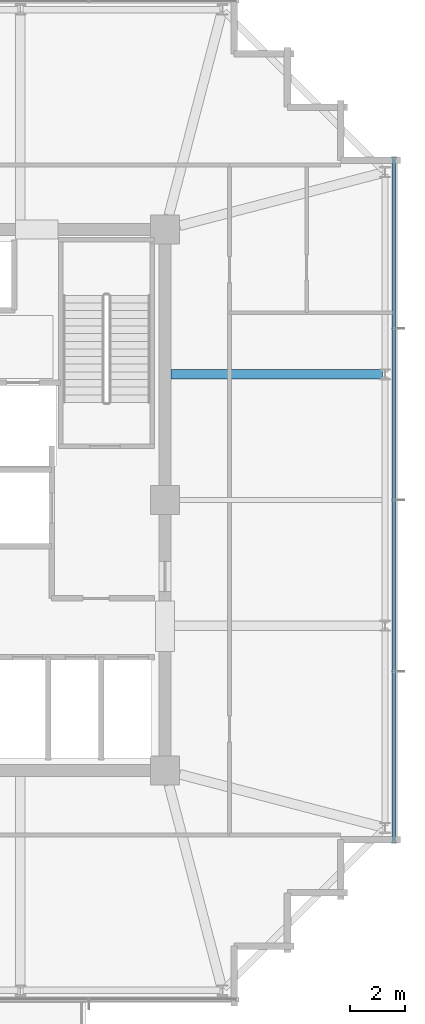
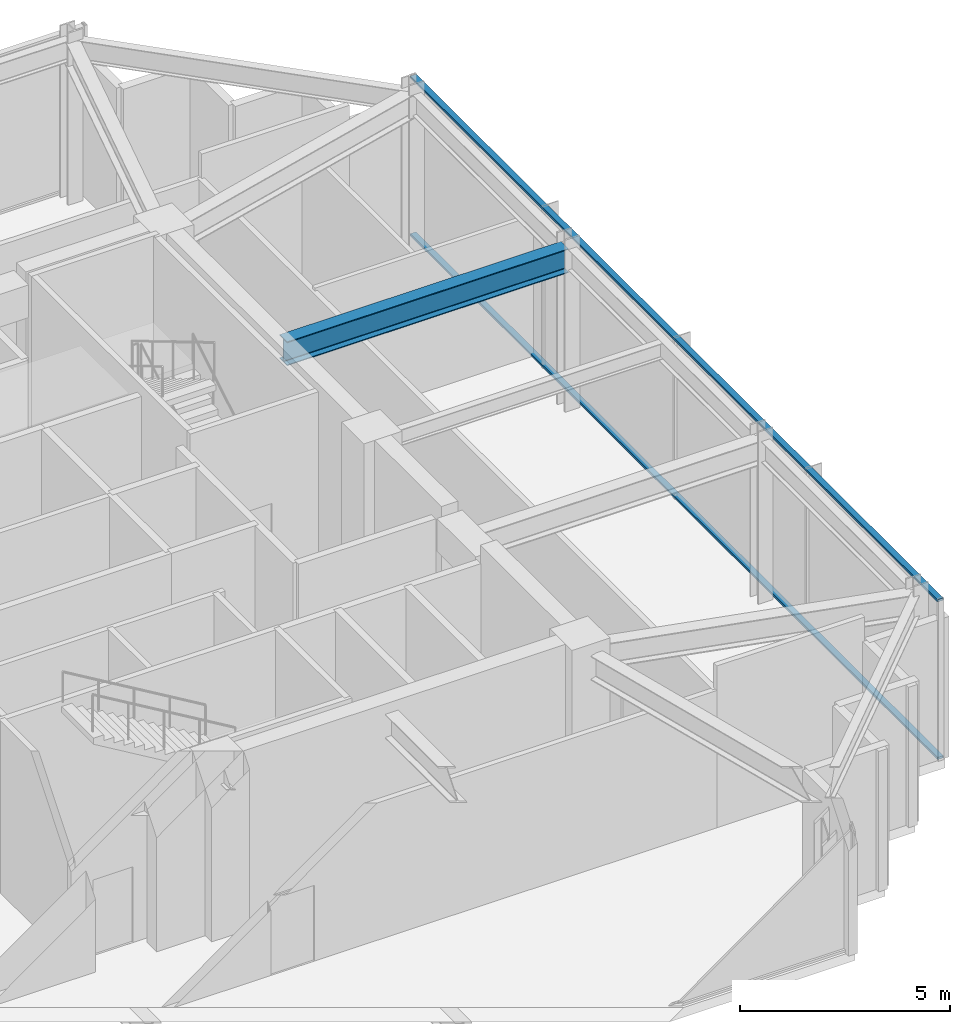
# One storey, part 13 of 31: 2 members, 1 beam, 1 element without a shape of its own.
"""IFC4 building model written with IfcOpenShell, lengths in metres."""

from ifc_helpers import new_model, si_unit, direction, frame, origin, origin_2d, place, context, subcontext, project, spatial, hollow_rectangle, i_section, extrude, material, material_profile, profile_set, type_object, element, aggregate, save


model = new_model("IFC4")

# Units and contexts
model_context = context("Model", 3, precision=1e-05, world=origin(), true_north=direction((0.0, 1.0)))
body_context = subcontext(model_context, "Body", "Model", "MODEL_VIEW")
ifc_project = project(units=[si_unit("LENGTHUNIT", "METRE"), si_unit("AREAUNIT", "SQUARE_METRE"), si_unit("VOLUMEUNIT", "CUBIC_METRE"), si_unit("PLANEANGLEUNIT", "RADIAN"), si_unit("MASSUNIT", "GRAM", prefix="KILO")], contexts=[model_context])

# Site, building, storey
site_placement = place(None, origin())
site = spatial("IfcSite", under=ifc_project, at=site_placement, CompositionType="ELEMENT")
building_placement = place(site_placement, origin())
building = spatial("IfcBuilding", under=site, at=building_placement, Name="Kolvaren Belvedere", CompositionType="ELEMENT")
storey_placement = place(building_placement, frame((0.0, 0.0, 267.39990234375)))
storey = spatial("IfcBuildingStorey", under=building, at=storey_placement, Name="L77", CompositionType="ELEMENT", Elevation=267.39990234375)

# Beam
ifc_material_1 = material(Name="Structural steel ASTM A992 Grade 50", Category="steel")
ifc_material_profile_1 = material_profile(ifc_material_1, i_section(OverallWidth=0.35498046875, OverallDepth=0.696044921875, WebThickness=0.015380859375, FlangeThickness=0.02490234375, FilletRadius=0.02197265625, at=origin_2d()), Name="W27X146")
ifc_profile_set_1 = profile_set([ifc_material_profile_1], Name="Structural steel ASTM A992 Grade 50")
beam_type = type_object("IfcBeamType", Name="BM-GIRD-W27X146", PredefinedType="BEAM", material=ifc_profile_set_1)
beam_placement = place(storey_placement, frame((10.125, 4.60009765625, 4.35205078125), z_axis=(1.0, 0.0, 0.0), x_axis=(0.0, 1.0, 0.0)))
element("IfcBeam", 1, at=beam_placement, inside=storey, type_object=beam_type, Name="L77 East Radial Girder P", PredefinedType="BEAM", context=body_context, shape_type="SweptSolid", body=[
    extrude(i_section(OverallWidth=0.35498046875, OverallDepth=0.696044921875, WebThickness=0.015380859375, FlangeThickness=0.02490234375, FilletRadius=0.02197265625, at=origin_2d()), origin(), (0.0, 0.0, 1.0), 7.7333984375),
])

# Curtain wall, members
ifc_material_2 = material(Name="Anodised pale-metal aluminium AA 6063-T6", Category="aluminium")
curtain_wall_type = type_object("IfcCurtainWallType", Name="CW-CRN-OBS", PredefinedType="NOTDEFINED", material=ifc_material_2)
curtain_wall_placement = place(storey_placement, origin())
curtain_wall = element("IfcCurtainWall", 2, at=curtain_wall_placement, inside=storey, type_object=curtain_wall_type, Name="L77 Unitised Curtain Wall FCW-L77-E", PredefinedType="NOTDEFINED")
ifc_material_3 = material(Name="Anodised pale-metal aluminium AA 6063-T6", Category="aluminium")
ifc_material_profile_2 = material_profile(ifc_material_3, hollow_rectangle(XDim=0.06494140625, YDim=0.159912109375, WallThickness=0.00390625, at=origin_2d()), Name="ALU-TRN-160X65")
ifc_profile_set_2 = profile_set([ifc_material_profile_2], Name="Anodised pale-metal aluminium AA 6063-T6")
member_type = type_object("IfcMemberType", Name="CW-TRN-160", PredefinedType="USERDEFINED", material=ifc_profile_set_2)
member_1_placement = place(storey_placement, frame((18.280029296875, 12.550048828125, 0.06005859375), z_axis=(0.0, -1.0, 0.0), x_axis=(0.0, 0.0, 1.0)))
member_1 = element("IfcMember", 3, at=member_1_placement, type_object=member_type, Name="FCW-L77-E Sill Transom", ObjectType="TRANSOM", PredefinedType="USERDEFINED", context=body_context, shape_type="SweptSolid", body=[
    extrude(hollow_rectangle(XDim=0.06494140625, YDim=0.159912109375, WallThickness=0.00390625, at=origin_2d()), origin(), (0.0, 0.0, 1.0), 25.10009765625),
])
member_2_placement = place(storey_placement, frame((18.280029296875, 12.550048828125, 4.64013671875), z_axis=(0.0, -1.0, 0.0), x_axis=(0.0, 0.0, 1.0)))
member_2 = element("IfcMember", 4, at=member_2_placement, type_object=member_type, Name="FCW-L77-E Head Transom", ObjectType="TRANSOM", PredefinedType="USERDEFINED", context=body_context, shape_type="SweptSolid", body=[
    extrude(hollow_rectangle(XDim=0.06494140625, YDim=0.159912109375, WallThickness=0.00390625, at=origin_2d()), origin(), (0.0, 0.0, 1.0), 25.10009765625),
])
aggregate(curtain_wall, [member_1, member_2])

save(model, "model.ifc")
